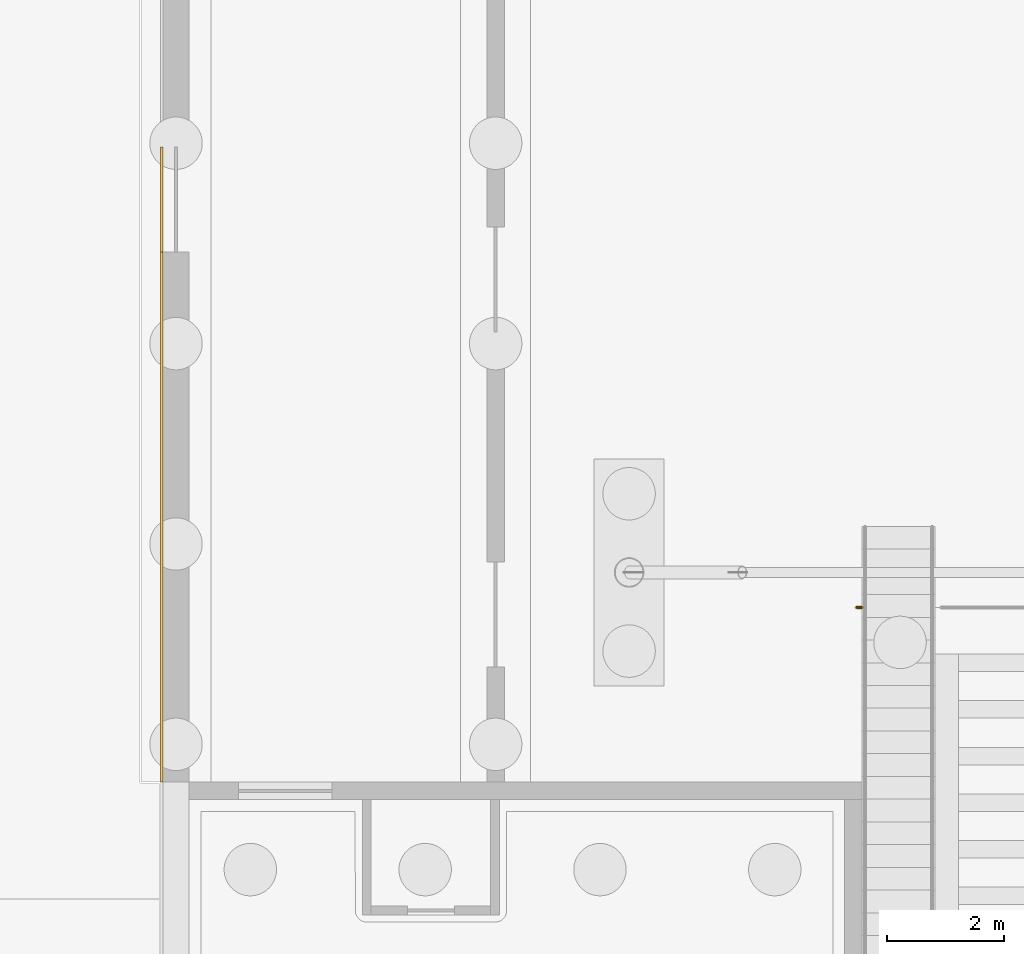
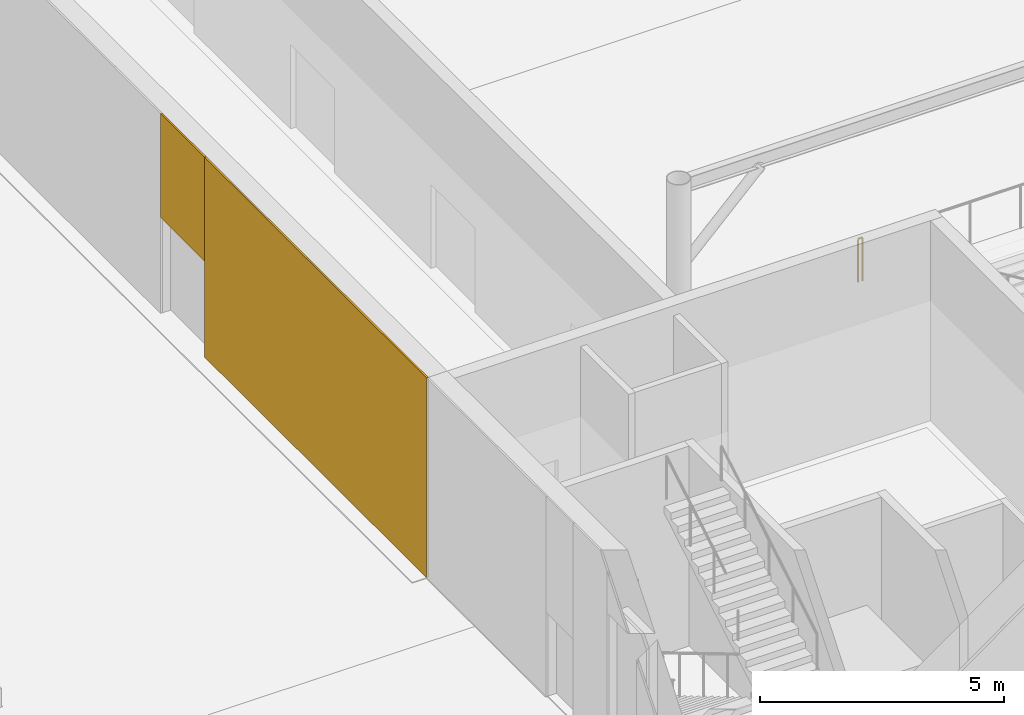
# One storey, part 127 of 157: 2 coverings, 1 railing.
"""IFC4 building model written with IfcOpenShell, lengths in metres."""

from ifc_helpers import new_model, si_unit, direction, frame, origin, origin_2d, place, context, subcontext, project, spatial, polyline, circle, outline, extrude, material, layer, layer_set, type_object, element, save


model = new_model("IFC4")

# Units and contexts
model_context = context("Model", 3, precision=1e-05, world=origin(), true_north=direction((0.0, 1.0)))
body_context = subcontext(model_context, "Body", "Model", "MODEL_VIEW")
ifc_project = project(units=[si_unit("LENGTHUNIT", "METRE"), si_unit("AREAUNIT", "SQUARE_METRE"), si_unit("VOLUMEUNIT", "CUBIC_METRE"), si_unit("PLANEANGLEUNIT", "RADIAN"), si_unit("MASSUNIT", "GRAM", prefix="KILO")], contexts=[model_context])

# Site, building, storey
site_placement = place(None, origin())
site = spatial("IfcSite", under=ifc_project, at=site_placement, CompositionType="ELEMENT")
building_placement = place(site_placement, origin())
building = spatial("IfcBuilding", under=site, at=building_placement, Name="Windward Yard Aquatics Centre", CompositionType="ELEMENT")
storey_placement = place(building_placement, origin())
storey = spatial("IfcBuildingStorey", under=building, at=storey_placement, Name="L00", CompositionType="ELEMENT", Elevation=0.0)

# Railing
ifc_material_1 = material(Name="Stainless steel 1.4529", Category="steel")
railing_type = type_object("IfcRailingType", Name="H Guard Steel 1100", PredefinedType="GUARDRAIL", material=ifc_material_1)
railing_placement = place(storey_placement, frame((64.0, 41.0, 1.39990234375)))
element("IfcRailing", 1, at=railing_placement, inside=storey, type_object=railing_type, Name="Stand front barrier S1", PredefinedType="GUARDRAIL", context=body_context, shape_type="SweptSolid", body=[
    extrude(circle(Radius=0.02392578125, at=origin_2d()), frame((0.0, 0.0, 1.076171875), z_axis=(-1.0, 0.0, 0.0), x_axis=(0.0, -1.0, 0.0)), (0.0, 0.0, 1.0), 0.10009765625),
    extrude(circle(Radius=0.02099609375, at=origin_2d()), origin(), (0.0, 0.0, 1.0), 1.052001953125),
    extrude(circle(Radius=0.02099609375, at=origin_2d()), frame((-0.10009765625, 0.0, 0.0)), (0.0, 0.0, 1.0), 1.052001953125),
])

# Coverings
ifc_material_2 = material(Name="Natural limestone cladding", Category="masonry")
ifc_layer = layer(ifc_material_2, 0.0400390625)
ifc_layer_set = layer_set([ifc_layer], Name="H natural stone cladding 40")
covering_type = type_object("IfcCoveringType", Name="H natural stone cladding 40", PredefinedType="CLADDING", material=ifc_layer_set)
covering_1_placement = place(storey_placement, origin())
element("IfcCovering", 2, at=covering_1_placement, inside=storey, type_object=covering_type, Name="Stone cladding panel 211", PredefinedType="CLADDING", context=body_context, shape_type="SweptSolid", body=[
    extrude(outline(polyline([(51.9599609375, 38.0), (52.0, 38.0), (52.0, 47.10009765625), (51.9599609375, 47.10009765625), (51.9599609375, 38.0)])), origin(), (0.0, 0.0, 1.0), 5.0),
])
covering_2_placement = place(storey_placement, frame((0.0, 0.0, 2.39990234375)))
element("IfcCovering", 3, at=covering_2_placement, inside=storey, type_object=covering_type, Name="Stone cladding panel 212", PredefinedType="CLADDING", context=body_context, shape_type="SweptSolid", body=[
    extrude(outline(polyline([(51.9599609375, 47.10009765625), (52.0, 47.10009765625), (52.0, 48.89990234375), (51.9599609375, 48.89990234375), (51.9599609375, 47.10009765625)])), origin(), (0.0, 0.0, 1.0), 2.60009765625),
])

save(model, "model.ifc")
